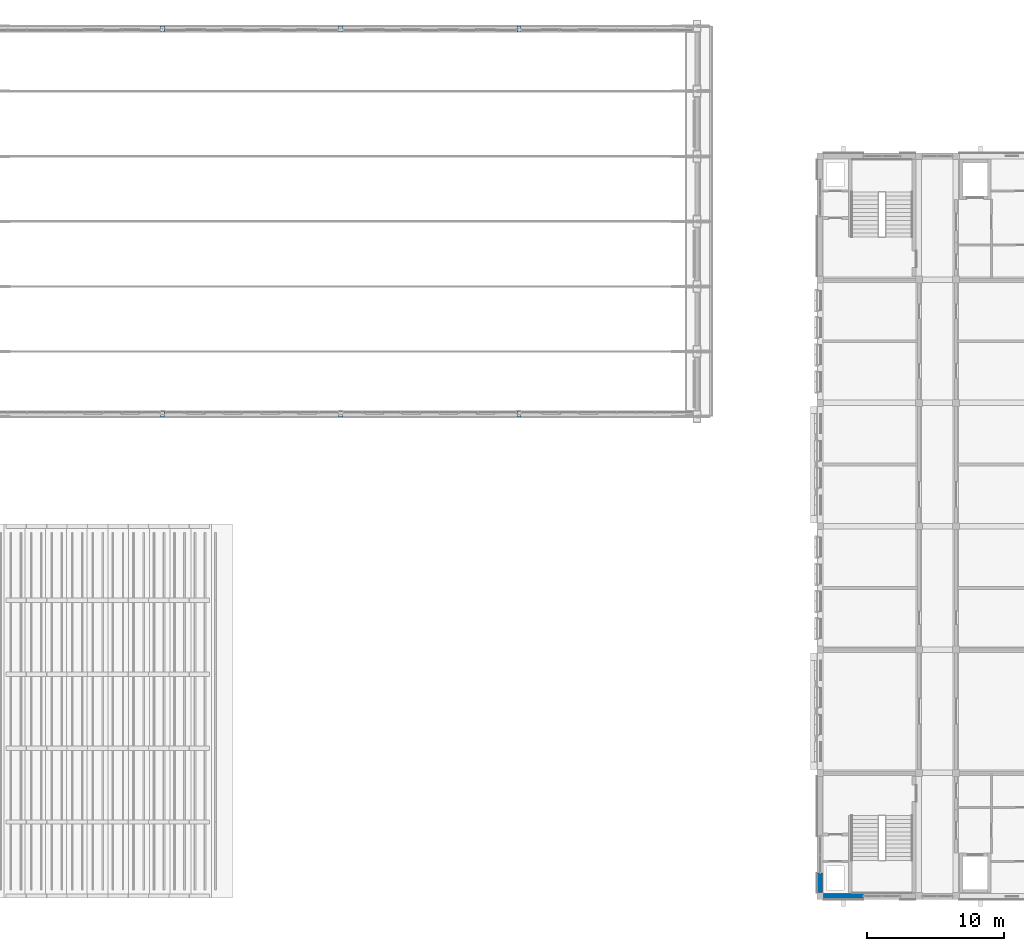
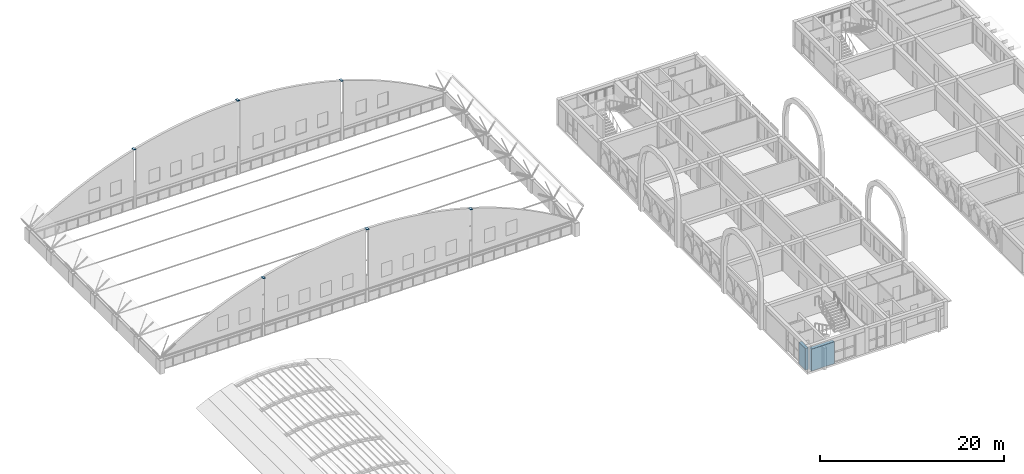
# One storey, part 34 of 65: 6 plates, 2 walls.
"""IFC4 building model written with IfcOpenShell, lengths in metres."""

from ifc_helpers import new_model, si_unit, direction, frame, frame_2d, origin, origin_2d, place, context, subcontext, project, spatial, rectangle, extrude, material, layer, layer_set, type_object, element, save


model = new_model("IFC4")

# Units and contexts
model_context = context("Model", 3, precision=1e-05, world=origin(), true_north=direction((0.0, 1.0)))
body_context = subcontext(model_context, "Body", "Model", "MODEL_VIEW")
ifc_project = project(units=[si_unit("LENGTHUNIT", "METRE"), si_unit("AREAUNIT", "SQUARE_METRE"), si_unit("VOLUMEUNIT", "CUBIC_METRE"), si_unit("PLANEANGLEUNIT", "RADIAN"), si_unit("MASSUNIT", "GRAM", prefix="KILO")], contexts=[model_context])

# Site, building, storey
site_placement = place(None, origin())
site = spatial("IfcSite", under=ifc_project, at=site_placement, CompositionType="ELEMENT")
building_placement = place(site_placement, origin())
building = spatial("IfcBuilding", under=site, at=building_placement, Name="Elbe Cascade School", CompositionType="ELEMENT")
storey_placement = place(building_placement, frame((0.0, 0.0, 11.699951171875)))
storey = spatial("IfcBuildingStorey", under=building, at=storey_placement, Name="L03", CompositionType="ELEMENT", Elevation=11.699951171875)

# Plates
ifc_material_1 = material(Name="Steel S355J2", Category="steel")
ifc_layer_1 = layer(ifc_material_1, 0.030029296875)
ifc_layer_set_1 = layer_set([ifc_layer_1], Name="Steel S355J2")
plate_type = type_object("IfcPlateType", Name="Hall gable post head plate Steel S355J2", PredefinedType="SHEET", material=ifc_layer_set_1)
for number, where, z_axis, x_axis, name in (
    (1, (21.0, 41.199951171875, 7.83544921875), (0.0, 0.0, 1.0), (1.0, 0.0, 0.0), "Gable post head plate S21"),
    (2, (34.0, 41.199951171875, 9.74951171875), (0.0, 0.0, 1.0), (1.0, 0.0, 0.0), "Gable post head plate S34"),
    (3, (47.0, 41.199951171875, 7.83544921875), (0.0, 0.0, 1.0), (1.0, 0.0, 0.0), "Gable post head plate S47"),
    (4, (21.0, 69.300048828125, 7.83544921875), (0.0, 0.0, 1.0), (1.0, 0.0, 0.0), "Gable post head plate N21"),
    (5, (34.0, 69.300048828125, 9.74951171875), (0.0, 0.0, 1.0), (1.0, 0.0, 0.0), "Gable post head plate N34"),
    (6, (47.0, 69.300048828125, 7.83544921875), (0.0, 0.0, 1.0), (1.0, 0.0, 0.0), "Gable post head plate N47"),
):
    element("IfcPlate", number, at=place(storey_placement, frame(where, z_axis=z_axis, x_axis=x_axis)), inside=storey, type_object=plate_type, Name=name, PredefinedType="SHEET", context=body_context, shape_type="SweptSolid", body=[
        extrude(rectangle(XDim=0.300048828125, YDim=0.449951171875, at=origin_2d()), origin(), (0.0, 0.0, 1.0), 0.030029296875),
    ])

# Walls
ifc_material_2 = material(Name="Brick masonry - red clinker, solid, sandstone-faced", Category="masonry")
ifc_layer_2 = layer(ifc_material_2, 0.39990234375)
ifc_layer_set_2 = layer_set([ifc_layer_2], Name="Brick masonry - red clinker, solid, sandstone-faced")
wall_type = type_object("IfcWallType", Name="Bars envelope External wall - solid masonry core strip, sandstone faced, 400", PredefinedType="STANDARD", material=ifc_layer_set_2)
wall_1_placement = place(storey_placement, frame((68.97998046875, 6.25, 0.0), z_axis=(0.0, 0.0, 1.0), x_axis=(0.0, 1.0, 0.0)))
element("IfcWall", 7, at=wall_1_placement, inside=storey, type_object=wall_type, Name="External wall W31 A.L03.w1a", PredefinedType="STANDARD", context=body_context, shape_type="SweptSolid", body=[
    extrude(rectangle(XDim=1.43994140625, YDim=0.39990234375, at=frame_2d((0.719970703125, 0.0))), origin(), (0.0, 0.0, 1.0), 2.85009765625),
])
wall_2_placement = place(storey_placement, frame((72.14990234375, 5.97998046875, 0.0), z_axis=(0.0, 0.0, 1.0), x_axis=(-1.0, 0.0, 0.0)))
element("IfcWall", 8, at=wall_2_placement, inside=storey, type_object=wall_type, Name="External wall W31 A.L03.s1a", PredefinedType="STANDARD", context=body_context, shape_type="SweptSolid", body=[
    extrude(rectangle(XDim=2.89990234375, YDim=0.39990234375, at=frame_2d((1.449951171875, 0.0))), origin(), (0.0, 0.0, 1.0), 2.900146484375),
])

save(model, "model.ifc")
